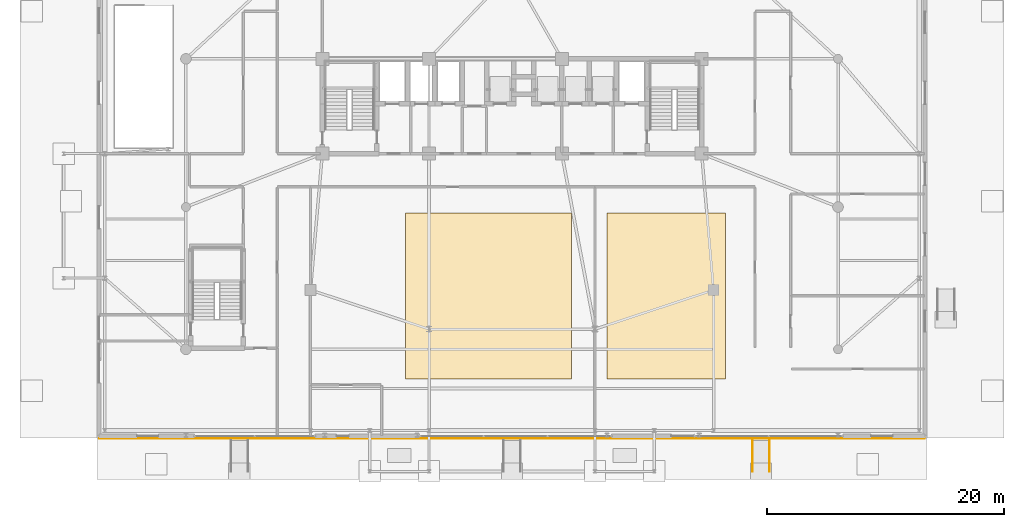
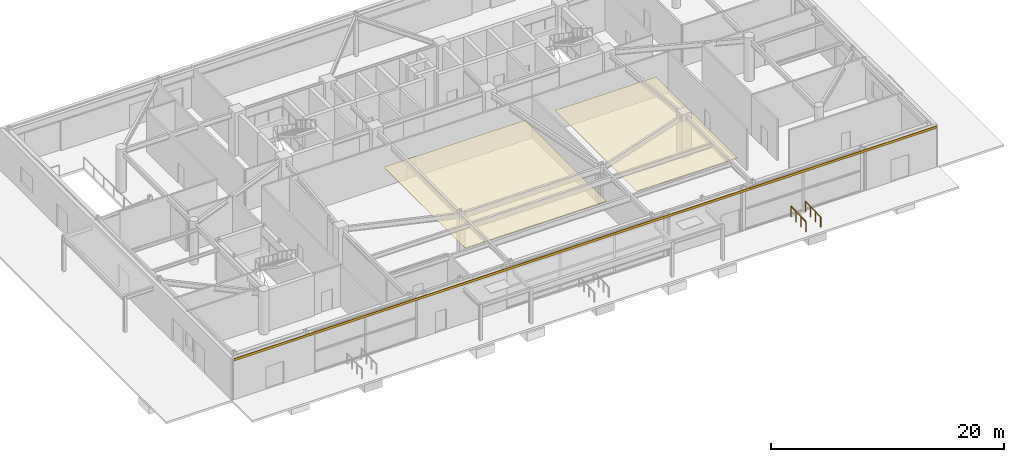
# One storey, part 26 of 29: 3 coverings, 2 railings.
"""IFC4 building model written with IfcOpenShell, lengths in metres."""

from ifc_helpers import new_model, si_unit, direction, frame, origin, origin_2d, place, context, subcontext, project, spatial, rectangle, extrude, source, transform, mapped, material, layer, layer_set, type_object, element, save


model = new_model("IFC4")

# Units and contexts
model_context = context("Model", 3, precision=1e-05, world=origin(), true_north=direction((0.0, 1.0)))
body_context = subcontext(model_context, "Body", "Model", "MODEL_VIEW")
ifc_project = project(units=[si_unit("LENGTHUNIT", "METRE"), si_unit("AREAUNIT", "SQUARE_METRE"), si_unit("VOLUMEUNIT", "CUBIC_METRE"), si_unit("PLANEANGLEUNIT", "RADIAN"), si_unit("MASSUNIT", "GRAM", prefix="KILO")], contexts=[model_context])

# Site, building, storey
site_placement = place(None, origin())
site = spatial("IfcSite", under=ifc_project, at=site_placement, CompositionType="ELEMENT")
building_placement = place(site_placement, origin())
building = spatial("IfcBuilding", under=site, at=building_placement, Name="Taldren Reach Tower", CompositionType="ELEMENT")
storey_placement = place(building_placement, origin())
storey = spatial("IfcBuildingStorey", under=building, at=storey_placement, Name="L00", CompositionType="ELEMENT", Elevation=0.0)

# Railings
ifc_material_1 = material(Name="Steel Gr 350 (C350L0)", Category="steel")
ifc_layer_1 = layer(ifc_material_1, 0.050048828125)
ifc_layer_set_1 = layer_set([ifc_layer_1], Name="Steel Gr 350 (C350L0)")
railing_type = type_object("IfcRailingType", Name="RL-STAIR-GR", PredefinedType="GUARDRAIL", material=ifc_layer_set_1)
for number, where, name in (
    (1, (55.280029296875, -2.800048828125, -0.0400390625), "Accessible ramp guard handrail S3-L"),
    (2, (56.719970703125, -2.800048828125, -0.0400390625), "Accessible ramp guard handrail S3-R"),
):
    element("IfcRailing", number, at=place(storey_placement, frame(where)), inside=storey, type_object=railing_type, Name=name, PredefinedType="GUARDRAIL", context=body_context, shape_type="SweptSolid", body=[
        extrude(rectangle(XDim=0.047852, YDim=0.047852, at=origin_2d()), frame((0.0, 0.0, 1.09619140625), z_axis=(0.0, 0.999881455542, 0.01539723556), x_axis=(-1.0, 0.0, 0.0)), (0.0, 0.0, 1.0), 2.600341796875),
        extrude(rectangle(XDim=0.041992, YDim=0.041992, at=origin_2d()), origin(), (0.0, 0.0, 1.0), 1.072021484375),
        extrude(rectangle(XDim=0.041992, YDim=0.041992, at=origin_2d()), frame((0.0, 0.86669921875, 0.013427734375)), (0.0, 0.0, 1.0), 1.072021484375),
        extrude(rectangle(XDim=0.041992, YDim=0.041992, at=origin_2d()), frame((0.0, 1.7333984375, 0.026611328125)), (0.0, 0.0, 1.0), 1.072021484375),
        extrude(rectangle(XDim=0.041992, YDim=0.041992, at=origin_2d()), frame((0.0, 2.60009765625, 0.0400390625)), (0.0, 0.0, 1.0), 1.072021484375),
    ])

# Coverings
ifc_material_2 = material(Name="Pale Champagne Fluoropolymer Aluminium Spandrel Cladding", Category="aluminium")
ifc_layer_2 = layer(ifc_material_2, 0.06005859375)
ifc_layer_set_2 = layer_set([ifc_layer_2], Name="Pale Champagne Fluoropolymer Aluminium Spandrel Cladding")
covering_type_1 = type_object("IfcCoveringType", Name="CV-CLAD-060", PredefinedType="CLADDING", material=ifc_layer_set_2)
shared_shape_1 = source(origin(), body_context, "Body", "SweptSolid", [
    extrude(rectangle(XDim=69.60009765625, YDim=0.06005859375, at=origin_2d()), origin(), (0.0, 0.0, 1.0), 0.239990234375),
])
covering_1_placement = place(storey_placement, frame((35.0, -0.02001953125, 4.08984375), z_axis=(0.0, 0.0, 1.0), x_axis=(1.0, 0.0, 0.0)))
element("IfcCovering", 3, at=covering_1_placement, inside=storey, type_object=covering_type_1, Name="Pale-metal spandrel cladding L00", PredefinedType="CLADDING", context=body_context, shape_type="MappedRepresentation", body=[
    mapped(shared_shape_1, transform((0.0, 0.0, 0.0), scale=1.0)),
])
ifc_material_3 = material(Name="Perforated Acoustic Mineral-Fibre Ceiling Tile")
ifc_layer_3 = layer(ifc_material_3, 0.02490234375)
ifc_layer_set_3 = layer_set([ifc_layer_3], Name="Perforated Acoustic Mineral-Fibre Ceiling Tile")
covering_type_2 = type_object("IfcCoveringType", Name="CV-CEIL-025", PredefinedType="CEILING", material=ifc_layer_set_3)
shared_shape_2 = source(origin(), body_context, "Body", "SweptSolid", [
    extrude(rectangle(XDim=14.0, YDim=14.0, at=origin_2d()), origin(), (0.0, 0.0, 1.0), 0.02490234375),
])
covering_2_placement = place(storey_placement, frame((33.0, 12.0, 3.78759765625), z_axis=(0.0, 0.0, 1.0), x_axis=(1.0, 0.0, 0.0)))
element("IfcCovering", 4, at=covering_2_placement, inside=storey, type_object=covering_type_2, Name="Suspended acoustic ceiling L00-01", PredefinedType="CEILING", context=body_context, shape_type="MappedRepresentation", body=[
    mapped(shared_shape_2, transform((0.0, 0.0, 0.0), scale=1.0)),
])
shared_shape_3 = source(origin(), body_context, "Body", "SweptSolid", [
    extrude(rectangle(XDim=10.0, YDim=14.0, at=origin_2d()), origin(), (0.0, 0.0, 1.0), 0.02490234375),
])
covering_3_placement = place(storey_placement, frame((48.0, 12.0, 3.78759765625), z_axis=(0.0, 0.0, 1.0), x_axis=(1.0, 0.0, 0.0)))
element("IfcCovering", 5, at=covering_3_placement, inside=storey, type_object=covering_type_2, Name="Suspended acoustic ceiling L00-02", PredefinedType="CEILING", context=body_context, shape_type="MappedRepresentation", body=[
    mapped(shared_shape_3, transform((0.0, 0.0, 0.0), scale=1.0)),
])

save(model, "model.ifc")
